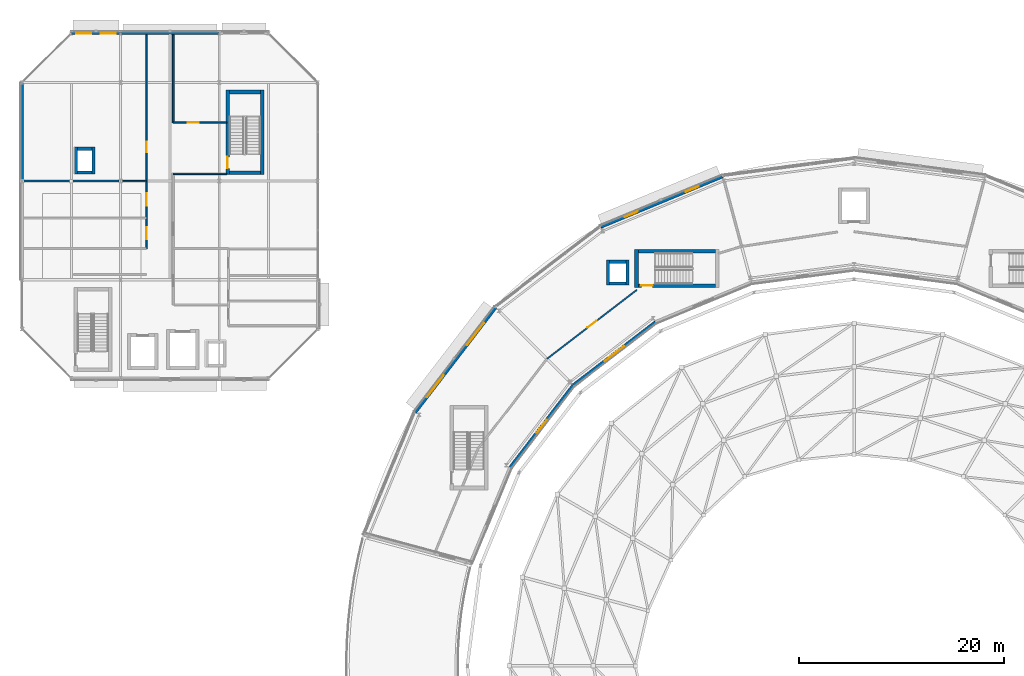
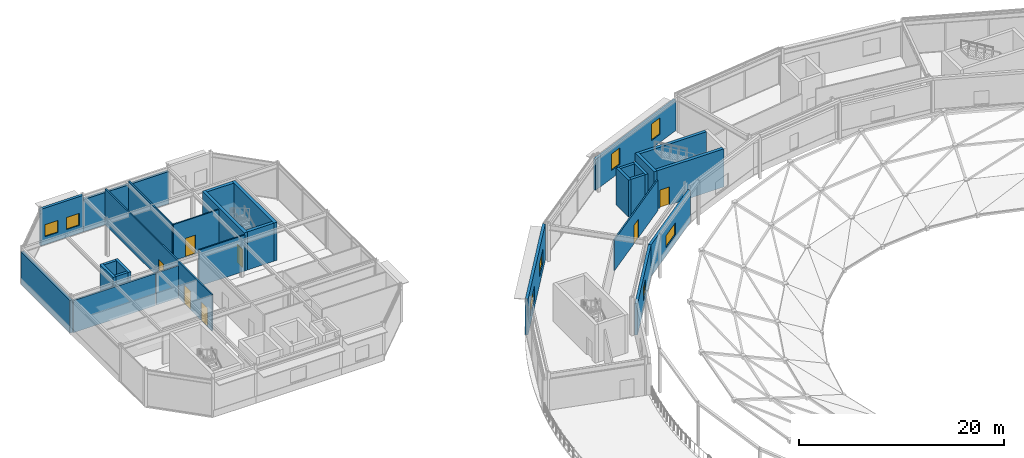
# One storey, part 63 of 89: 29 walls, 8 windows, 7 doors, 15 openings.
"""IFC4 building model written with IfcOpenShell, lengths in metres."""

from ifc_helpers import new_model, si_unit, direction, frame, frame_2d, origin, place, context, subcontext, project, spatial, rectangle, extrude, material, layer, layer_set, type_object, element, fill, save


model = new_model("IFC4")

# Units and contexts
model_context = context("Model", 3, precision=1e-05, world=origin(), true_north=direction((0.0, 1.0)))
body_context = subcontext(model_context, "Body", "Model", "MODEL_VIEW")
ifc_project = project(units=[si_unit("LENGTHUNIT", "METRE"), si_unit("AREAUNIT", "SQUARE_METRE"), si_unit("VOLUMEUNIT", "CUBIC_METRE"), si_unit("PLANEANGLEUNIT", "RADIAN"), si_unit("MASSUNIT", "GRAM", prefix="KILO")], contexts=[model_context])

# Site, building, storey
site_placement = place(None, origin())
site = spatial("IfcSite", under=ifc_project, at=site_placement, CompositionType="ELEMENT")
building_placement = place(site_placement, origin())
building = spatial("IfcBuilding", under=site, at=building_placement, Name="Almandine Court Research Institute", CompositionType="ELEMENT")
storey_placement = place(building_placement, frame((0.0, 0.0, 18.89990234375)))
storey = spatial("IfcBuildingStorey", under=building, at=storey_placement, Name="L04", CompositionType="ELEMENT", Elevation=18.89990234375)

# Wall
ifc_material_1 = material(Name="Insulated Ochre Terracotta Rainscreen Wall", Category="masonry")
ifc_layer_1 = layer(ifc_material_1, 0.2900390625)
ifc_layer_set_1 = layer_set([ifc_layer_1], Name="Insulated Ochre Terracotta Rainscreen Wall")
wall_type_1 = type_object("IfcWallType", Name="Wall-EXT-TERR-290", PredefinedType="SOLIDWALL", material=ifc_layer_set_1)
wall_1_placement = place(storey_placement, frame((6.0, 103.2041015625, 0.0), z_axis=(0.0, 0.0, 1.0), x_axis=(0.0, 1.0, 0.0)))
element("IfcWall", 1, at=wall_1_placement, inside=storey, type_object=wall_type_1, Name="L04 Cleanroom West Wall 3", PredefinedType="SOLIDWALL", context=body_context, shape_type="SweptSolid", body=[
    extrude(rectangle(XDim=9.591796875, YDim=0.2900390625, at=frame_2d((4.7958984375, 0.0))), origin(), (0.0, 0.0, 1.0), 3.884033203125),
])

# Wall, openings, windows
wall_2_placement = place(storey_placement, frame((10.803955078125, 117.60009765625, 0.0), z_axis=(0.0, 0.0, 1.0), x_axis=(1.0, 0.0, 0.0)))
wall_2 = element("IfcWall", 2, at=wall_2_placement, inside=storey, type_object=wall_type_1, Name="L04 Cleanroom North Wall 1", PredefinedType="SOLIDWALL", context=body_context, shape_type="SweptSolid", body=[
    extrude(rectangle(XDim=4.7919921875, YDim=0.2900390625, at=frame_2d((2.39599609375, 0.0))), origin(), (0.0, 0.0, 1.0), 4.3701171875),
])
opening_1_placement = place(wall_2_placement, frame((0.472900390625, 0.0, 0.949951171875)))
opening_1 = element("IfcOpeningElement", 3, at=opening_1_placement, cuts=wall_2, Name="Opening WN-36", PredefinedType="OPENING", context=body_context, shape_type="SweptSolid", body=[
    extrude(rectangle(XDim=1.449951171875, YDim=1.429931640625, at=frame_2d((0.72509765625, 0.71484375))), frame((0.0, 0.155029296875, 0.0), z_axis=(0.0, -1.0, 0.0), x_axis=(1.0, 0.0, 0.0)), (0.0, 0.0, 1.0), 0.31005859375),
])
opening_2_placement = place(wall_2_placement, frame((2.868896484375, 0.0, 0.949951171875)))
opening_2 = element("IfcOpeningElement", 4, at=opening_2_placement, cuts=wall_2, Name="Opening WN-36", PredefinedType="OPENING", context=body_context, shape_type="SweptSolid", body=[
    extrude(rectangle(XDim=1.449951171875, YDim=1.429931640625, at=frame_2d((0.72509765625, 0.71484375))), frame((0.0, 0.155029296875, 0.0), z_axis=(0.0, -1.0, 0.0), x_axis=(1.0, 0.0, 0.0)), (0.0, 0.0, 1.0), 0.31005859375),
])
ifc_material_2 = material(Name="Thermally Broken Low-E Double-Glazed Window", Category="glass")
window_type_1 = type_object("IfcWindowType", Name="Win-WN-36-1450x1430", PartitioningType="SINGLE_PANEL", PredefinedType="WINDOW", material=ifc_material_2)
window_1_placement = place(opening_1_placement, origin())
window_1 = element("IfcWindow", 5, at=window_1_placement, inside=storey, type_object=window_type_1, Name="L04 Modular Recessed Low-E Window 54", OverallHeight=1.429931640625, OverallWidth=1.449951171875, PartitioningType="SINGLE_PANEL", PredefinedType="WINDOW", context=body_context, shape_type="SweptSolid", body=[
    extrude(rectangle(XDim=1.449951171875, YDim=1.429931640625, at=frame_2d((0.72509765625, 0.71484375))), frame((0.0, 0.030029296875, 0.0), z_axis=(0.0, -1.0, 0.0), x_axis=(1.0, 0.0, 0.0)), (0.0, 0.0, 1.0), 0.06005859375),
])
fill(opening_1, window_1)
window_2_placement = place(opening_2_placement, origin())
window_2 = element("IfcWindow", 6, at=window_2_placement, inside=storey, type_object=window_type_1, Name="L04 Modular Recessed Low-E Window 55", OverallHeight=1.429931640625, OverallWidth=1.449951171875, PartitioningType="SINGLE_PANEL", PredefinedType="WINDOW", context=body_context, shape_type="SweptSolid", body=[
    extrude(rectangle(XDim=1.449951171875, YDim=1.429931640625, at=frame_2d((0.72509765625, 0.71484375))), frame((0.0, 0.030029296875, 0.0), z_axis=(0.0, -1.0, 0.0), x_axis=(1.0, 0.0, 0.0)), (0.0, 0.0, 1.0), 0.06005859375),
])
fill(opening_2, window_2)

# Wall
wall_3_placement = place(storey_placement, frame((15.60400390625, 117.60009765625, 0.0), z_axis=(0.0, 0.0, 1.0), x_axis=(1.0, 0.0, 0.0)))
element("IfcWall", 7, at=wall_3_placement, inside=storey, type_object=wall_type_1, Name="L04 Cleanroom North Wall 2", PredefinedType="SOLIDWALL", context=body_context, shape_type="SweptSolid", body=[
    extrude(rectangle(XDim=9.592041015625, YDim=0.2900390625, at=frame_2d((4.7958984375, 0.0))), origin(), (0.0, 0.0, 1.0), 3.837158203125),
])

# Wall, openings, windows
wall_4_placement = place(storey_placement, frame((62.3349609375, 98.73193359375, 0.0), z_axis=(0.0, 0.0, 1.0), x_axis=(0.923868612896, 0.382709793584, 0.0)))
wall_4 = element("IfcWall", 8, at=wall_4_placement, inside=storey, type_object=wall_type_1, Name="L04 Drum Outer Facade Wall 07", PredefinedType="SOLIDWALL", context=body_context, shape_type="SweptSolid", body=[
    extrude(rectangle(XDim=12.868896484375, YDim=0.2900390625, at=frame_2d((6.4345703125, 0.0))), origin(), (0.0, 0.0, 1.0), 3.672119140625),
])
opening_3_placement = place(wall_4_placement, frame((2.527099609375, 0.0, 0.949951171875)))
opening_3 = element("IfcOpeningElement", 9, at=opening_3_placement, cuts=wall_4, Name="Opening WN-126", PredefinedType="OPENING", context=body_context, shape_type="SweptSolid", body=[
    extrude(rectangle(XDim=1.3798828125, YDim=1.969970703125, at=frame_2d((0.68994140625, 0.98486328125))), frame((0.0, 0.155029296875, 0.0), z_axis=(0.0, -1.0, 0.0), x_axis=(1.0, 0.0, 0.0)), (0.0, 0.0, 1.0), 0.31005859375),
])
opening_4_placement = place(wall_4_placement, frame((8.9619140625, 0.0, 0.949951171875)))
opening_4 = element("IfcOpeningElement", 10, at=opening_4_placement, cuts=wall_4, Name="Opening WN-126", PredefinedType="OPENING", context=body_context, shape_type="SweptSolid", body=[
    extrude(rectangle(XDim=1.3798828125, YDim=1.969970703125, at=frame_2d((0.68994140625, 0.98486328125))), frame((0.0, 0.155029296875, 0.0), z_axis=(0.0, -1.0, 0.0), x_axis=(1.0, 0.0, 0.0)), (0.0, 0.0, 1.0), 0.31005859375),
])
window_type_2 = type_object("IfcWindowType", Name="Win-WN-126-1380x1970", PartitioningType="SINGLE_PANEL", PredefinedType="WINDOW", material=ifc_material_2)
window_3_placement = place(opening_3_placement, origin())
window_3 = element("IfcWindow", 11, at=window_3_placement, inside=storey, type_object=window_type_2, Name="L04 Modular Recessed Low-E Window 303", OverallHeight=1.969970703125, OverallWidth=1.3798828125, PartitioningType="SINGLE_PANEL", PredefinedType="WINDOW", context=body_context, shape_type="SweptSolid", body=[
    extrude(rectangle(XDim=1.3798828125, YDim=1.969970703125, at=frame_2d((0.68994140625, 0.98486328125))), frame((0.0, 0.030029296875, 0.0), z_axis=(0.0, -1.0, 0.0), x_axis=(1.0, 0.0, 0.0)), (0.0, 0.0, 1.0), 0.06005859375),
])
fill(opening_3, window_3)
window_4_placement = place(opening_4_placement, origin())
window_4 = element("IfcWindow", 12, at=window_4_placement, inside=storey, type_object=window_type_2, Name="L04 Modular Recessed Low-E Window 304", OverallHeight=1.969970703125, OverallWidth=1.3798828125, PartitioningType="SINGLE_PANEL", PredefinedType="WINDOW", context=body_context, shape_type="SweptSolid", body=[
    extrude(rectangle(XDim=1.3798828125, YDim=1.969970703125, at=frame_2d((0.68994140625, 0.98486328125))), frame((0.0, 0.030029296875, 0.0), z_axis=(0.0, -1.0, 0.0), x_axis=(1.0, 0.0, 0.0)), (0.0, 0.0, 1.0), 0.06005859375),
])
fill(opening_4, window_4)

# Wall, opening, window
wall_5_placement = place(storey_placement, frame((67.6650390625, 89.47705078125, 0.0), z_axis=(0.0, 0.0, 1.0), x_axis=(-0.793371621275, -0.608737604027, 0.0)))
wall_5 = element("IfcWall", 13, at=wall_5_placement, inside=storey, type_object=wall_type_1, Name="L04 Drum Inner Gallery Wall 08", PredefinedType="SOLIDWALL", context=body_context, shape_type="SweptSolid", body=[
    extrude(rectangle(XDim=10.079833984375, YDim=0.2900390625, at=frame_2d((5.0400390625, 0.0))), origin(), (0.0, 0.0, 1.0), 3.754150390625),
])
opening_5_placement = place(wall_5_placement, frame((3.85498046875, 0.0, 0.949951171875)))
opening_5 = element("IfcOpeningElement", 14, at=opening_5_placement, cuts=wall_5, Name="Opening WN-25", PredefinedType="OPENING", context=body_context, shape_type="SweptSolid", body=[
    extrude(rectangle(XDim=2.3701171875, YDim=1.429931640625, at=frame_2d((1.18505859375, 0.71484375))), frame((0.0, 0.155029296875, 0.0), z_axis=(0.0, -1.0, 0.0), x_axis=(1.0, 0.0, 0.0)), (0.0, 0.0, 1.0), 0.31005859375),
])
window_type_3 = type_object("IfcWindowType", Name="Win-WN-25-2370x1430", PartitioningType="SINGLE_PANEL", PredefinedType="WINDOW", material=ifc_material_2)
window_5_placement = place(opening_5_placement, origin())
window_5 = element("IfcWindow", 15, at=window_5_placement, inside=storey, type_object=window_type_3, Name="L04 Modular Recessed Low-E Window 306", OverallHeight=1.429931640625, OverallWidth=2.3701171875, PartitioningType="SINGLE_PANEL", PredefinedType="WINDOW", context=body_context, shape_type="SweptSolid", body=[
    extrude(rectangle(XDim=2.3701171875, YDim=1.429931640625, at=frame_2d((1.18505859375, 0.71484375))), frame((0.0, 0.030029296875, 0.0), z_axis=(0.0, -1.0, 0.0), x_axis=(1.0, 0.0, 0.0)), (0.0, 0.0, 1.0), 0.06005859375),
])
fill(opening_5, window_5)

# Wall, openings, windows
wall_6_placement = place(storey_placement, frame((44.27392578125, 80.675048828125, 0.0), z_axis=(0.0, 0.0, 1.0), x_axis=(0.608778799465, 0.79334001117, 0.0)))
wall_6 = element("IfcWall", 16, at=wall_6_placement, inside=storey, type_object=wall_type_1, Name="L04 Drum Outer Facade Wall 09", PredefinedType="SOLIDWALL", context=body_context, shape_type="SweptSolid", body=[
    extrude(rectangle(XDim=12.868408203125, YDim=0.2900390625, at=frame_2d((6.43408203125, 0.0))), origin(), (0.0, 0.0, 1.0), 4.31005859375),
])
opening_6_placement = place(wall_6_placement, frame((1.866943359375, 0.0, 0.949951171875)))
opening_6 = element("IfcOpeningElement", 17, at=opening_6_placement, cuts=wall_6, Name="Opening WN-127", PredefinedType="OPENING", context=body_context, shape_type="SweptSolid", body=[
    extrude(rectangle(XDim=2.699951171875, YDim=1.64990234375, at=frame_2d((1.35009765625, 0.824951171875))), frame((0.0, 0.155029296875, 0.0), z_axis=(0.0, -1.0, 0.0), x_axis=(1.0, 0.0, 0.0)), (0.0, 0.0, 1.0), 0.31005859375),
])
opening_7_placement = place(wall_6_placement, frame((8.301025390625, 0.0, 0.949951171875)))
opening_7 = element("IfcOpeningElement", 18, at=opening_7_placement, cuts=wall_6, Name="Opening WN-127", PredefinedType="OPENING", context=body_context, shape_type="SweptSolid", body=[
    extrude(rectangle(XDim=2.699951171875, YDim=1.64990234375, at=frame_2d((1.35009765625, 0.824951171875))), frame((0.0, 0.155029296875, 0.0), z_axis=(0.0, -1.0, 0.0), x_axis=(1.0, 0.0, 0.0)), (0.0, 0.0, 1.0), 0.31005859375),
])
window_type_4 = type_object("IfcWindowType", Name="Win-WN-127-2700x1650", PartitioningType="SINGLE_PANEL", PredefinedType="WINDOW", material=ifc_material_2)
window_6_placement = place(opening_6_placement, origin())
window_6 = element("IfcWindow", 19, at=window_6_placement, inside=storey, type_object=window_type_4, Name="L04 Modular Recessed Low-E Window 307", OverallHeight=1.64990234375, OverallWidth=2.699951171875, PartitioningType="SINGLE_PANEL", PredefinedType="WINDOW", context=body_context, shape_type="SweptSolid", body=[
    extrude(rectangle(XDim=2.699951171875, YDim=1.64990234375, at=frame_2d((1.35009765625, 0.824951171875))), frame((0.0, 0.030029296875, 0.0), z_axis=(0.0, -1.0, 0.0), x_axis=(1.0, 0.0, 0.0)), (0.0, 0.0, 1.0), 0.06005859375),
])
fill(opening_6, window_6)
window_7_placement = place(opening_7_placement, origin())
window_7 = element("IfcWindow", 20, at=window_7_placement, inside=storey, type_object=window_type_4, Name="L04 Modular Recessed Low-E Window 308", OverallHeight=1.64990234375, OverallWidth=2.699951171875, PartitioningType="SINGLE_PANEL", PredefinedType="WINDOW", context=body_context, shape_type="SweptSolid", body=[
    extrude(rectangle(XDim=2.699951171875, YDim=1.64990234375, at=frame_2d((1.35009765625, 0.824951171875))), frame((0.0, 0.030029296875, 0.0), z_axis=(0.0, -1.0, 0.0), x_axis=(1.0, 0.0, 0.0)), (0.0, 0.0, 1.0), 0.06005859375),
])
fill(opening_7, window_7)

# Wall, opening, window
wall_7_placement = place(storey_placement, frame((59.658935546875, 83.33203125, 0.0), z_axis=(0.0, 0.0, 1.0), x_axis=(-0.608737604027, -0.793371621275, 0.0)))
wall_7 = element("IfcWall", 21, at=wall_7_placement, inside=storey, type_object=wall_type_1, Name="L04 Drum Inner Gallery Wall 09", PredefinedType="SOLIDWALL", context=body_context, shape_type="SweptSolid", body=[
    extrude(rectangle(XDim=10.079833984375, YDim=0.2900390625, at=frame_2d((5.0400390625, 0.0))), origin(), (0.0, 0.0, 1.0), 3.754150390625),
])
opening_8_placement = place(wall_7_placement, frame((4.239990234375, 0.0, 0.949951171875)))
opening_8 = element("IfcOpeningElement", 22, at=opening_8_placement, cuts=wall_7, Name="Opening WN-123", PredefinedType="OPENING", context=body_context, shape_type="SweptSolid", body=[
    extrude(rectangle(XDim=1.60009765625, YDim=1.669921875, at=frame_2d((0.800048828125, 0.8349609375))), frame((0.0, 0.155029296875, 0.0), z_axis=(0.0, -1.0, 0.0), x_axis=(1.0, 0.0, 0.0)), (0.0, 0.0, 1.0), 0.31005859375),
])
window_type_5 = type_object("IfcWindowType", Name="Win-WN-123-1600x1670", PartitioningType="SINGLE_PANEL", PredefinedType="WINDOW", material=ifc_material_2)
window_8_placement = place(opening_8_placement, origin())
window_8 = element("IfcWindow", 23, at=window_8_placement, inside=storey, type_object=window_type_5, Name="L04 Modular Recessed Low-E Window 309", OverallHeight=1.669921875, OverallWidth=1.60009765625, PartitioningType="SINGLE_PANEL", PredefinedType="WINDOW", context=body_context, shape_type="SweptSolid", body=[
    extrude(rectangle(XDim=1.60009765625, YDim=1.669921875, at=frame_2d((0.800048828125, 0.8349609375))), frame((0.0, 0.030029296875, 0.0), z_axis=(0.0, -1.0, 0.0), x_axis=(1.0, 0.0, 0.0)), (0.0, 0.0, 1.0), 0.06005859375),
])
fill(opening_8, window_8)

# Wall
ifc_material_3 = material(Name="Two-Hour Fire-Barrier Enclosure Wall")
ifc_layer_2 = layer(ifc_material_3, 0.199951171875)
ifc_layer_set_2 = layer_set([ifc_layer_2], Name="Two-Hour Fire-Barrier Enclosure Wall")
wall_type_2 = type_object("IfcWallType", Name="Wall-FIRE-200", PredefinedType="SOLIDWALL", material=ifc_layer_set_2)
wall_8_placement = place(storey_placement, frame((6.159912109375, 103.199951171875, 0.0), z_axis=(0.0, 0.0, 1.0), x_axis=(1.0, 0.0, 0.0)))
element("IfcWall", 24, at=wall_8_placement, inside=storey, type_object=wall_type_2, Name="L04 Interior Partition W-BF-V3-BF1-L04", PredefinedType="SOLIDWALL", context=body_context, shape_type="SweptSolid", body=[
    extrude(rectangle(XDim=9.280029296875, YDim=0.199951171875, at=frame_2d((4.64013671875, 0.0))), origin(), (0.0, 0.0, 1.0), 3.815185546875),
])

# Wall, opening, door
ifc_material_4 = material(Name="Acoustic Steel-Stud Gypsum Partition Wall", Category="steel")
ifc_layer_3 = layer(ifc_material_4, 0.14990234375)
ifc_layer_set_3 = layer_set([ifc_layer_3], Name="Acoustic Steel-Stud Gypsum Partition Wall")
wall_type_3 = type_object("IfcWallType", Name="Wall-PART-150", PredefinedType="PARTITIONING", material=ifc_layer_set_3)
wall_9_placement = place(storey_placement, frame((20.719970703125, 108.89990234375, 0.0), z_axis=(0.0, 0.0, 1.0), x_axis=(1.0, 0.0, 0.0)))
wall_9 = element("IfcWall", 25, at=wall_9_placement, inside=storey, type_object=wall_type_3, Name="L04 Interior Partition W-V3-L04-CAL", PredefinedType="PARTITIONING", context=body_context, shape_type="SweptSolid", body=[
    extrude(rectangle(XDim=5.199951171875, YDim=0.14990234375, at=frame_2d((2.60009765625, 0.0))), origin(), (0.0, 0.0, 1.0), 4.300048828125),
])
opening_9_placement = place(wall_9_placement, frame((1.39990234375, 0.0, 0.0)))
opening_9 = element("IfcOpeningElement", 26, at=opening_9_placement, cuts=wall_9, Name="Opening D-03", PredefinedType="OPENING", context=body_context, shape_type="SweptSolid", body=[
    extrude(rectangle(XDim=1.10009765625, YDim=2.199951171875, at=frame_2d((0.550048828125, 1.10009765625))), frame((0.0, 0.0849609375, 0.0), z_axis=(0.0, -1.0, 0.0), x_axis=(1.0, 0.0, 0.0)), (0.0, 0.0, 1.0), 0.169921875),
])
ifc_material_5 = material(Name="Acoustic Vision-Panel Seminar Door")
door_type_1 = type_object("IfcDoorType", Name="Door-INT-1100", OperationType="NOTDEFINED", PredefinedType="DOOR", material=ifc_material_5)
door_1_placement = place(opening_9_placement, origin())
door_1 = element("IfcDoor", 27, at=door_1_placement, inside=storey, type_object=door_type_1, Name="L04 Calibration Suite Door", OperationType="SINGLE_SWING_LEFT", OverallHeight=2.199951171875, OverallWidth=1.10009765625, PredefinedType="DOOR", context=body_context, shape_type="SweptSolid", body=[
    extrude(rectangle(XDim=1.10009765625, YDim=2.199951171875, at=frame_2d((0.550048828125, 1.10009765625))), frame((0.0, 0.02490234375, 0.0), z_axis=(0.0, -1.0, 0.0), x_axis=(1.0, 0.0, 0.0)), (0.0, 0.0, 1.0), 0.050048828125),
])
fill(opening_9, door_1)

# Wall
wall_10_placement = place(storey_placement, frame((20.719970703125, 108.89990234375, 0.0), z_axis=(0.0, 0.0, 1.0), x_axis=(0.0, 1.0, 0.0)))
element("IfcWall", 28, at=wall_10_placement, inside=storey, type_object=wall_type_3, Name="L04 Interior Partition W-V3-L04-CALW", PredefinedType="PARTITIONING", context=body_context, shape_type="SweptSolid", body=[
    extrude(rectangle(XDim=8.5400390625, YDim=0.14990234375, at=frame_2d((4.27001953125, 0.0))), origin(), (0.0, 0.0, 1.0), 4.300048828125),
])

# Wall, openings, doors
wall_11_placement = place(storey_placement, frame((18.10009765625, 96.6201171875, 0.0), z_axis=(0.0, 0.0, 1.0), x_axis=(0.0, 1.0, 0.0)))
wall_11 = element("IfcWall", 29, at=wall_11_placement, inside=storey, type_object=wall_type_3, Name="L04 Interior Partition W-V3-L04-CW", PredefinedType="PARTITIONING", context=body_context, shape_type="SweptSolid", body=[
    extrude(rectangle(XDim=20.81982421875, YDim=0.14990234375, at=frame_2d((10.409912109375, 0.0))), origin(), (0.0, 0.0, 1.0), 4.300048828125),
])
opening_10_placement = place(wall_11_placement, frame((0.89990234375, 0.0, 0.0)))
opening_10 = element("IfcOpeningElement", 30, at=opening_10_placement, cuts=wall_11, Name="Opening D-04", PredefinedType="OPENING", context=body_context, shape_type="SweptSolid", body=[
    extrude(rectangle(XDim=1.199951171875, YDim=2.199951171875, at=frame_2d((0.60009765625, 1.10009765625))), frame((0.0, 0.0849609375, 0.0), z_axis=(0.0, -1.0, 0.0), x_axis=(1.0, 0.0, 0.0)), (0.0, 0.0, 1.0), 0.169921875),
])
opening_11_placement = place(wall_11_placement, frame((4.199951171875, 0.0, 0.0)))
opening_11 = element("IfcOpeningElement", 31, at=opening_11_placement, cuts=wall_11, Name="Opening D-04", PredefinedType="OPENING", context=body_context, shape_type="SweptSolid", body=[
    extrude(rectangle(XDim=1.199951171875, YDim=2.199951171875, at=frame_2d((0.60009765625, 1.10009765625))), frame((0.0, 0.0849609375, 0.0), z_axis=(0.0, -1.0, 0.0), x_axis=(1.0, 0.0, 0.0)), (0.0, 0.0, 1.0), 0.169921875),
])
opening_12_placement = place(wall_11_placement, frame((9.39990234375, 0.0, 0.0)))
opening_12 = element("IfcOpeningElement", 32, at=opening_12_placement, cuts=wall_11, Name="Opening D-02", PredefinedType="OPENING", context=body_context, shape_type="SweptSolid", body=[
    extrude(rectangle(XDim=1.0, YDim=2.199951171875, at=frame_2d((0.5, 1.10009765625))), frame((0.0, 0.0849609375, 0.0), z_axis=(0.0, -1.0, 0.0), x_axis=(1.0, 0.0, 0.0)), (0.0, 0.0, 1.0), 0.169921875),
])
ifc_material_6 = material(Name="Solid-Core Timber Researcher Office Door", Category="wood")
door_type_2 = type_object("IfcDoorType", Name="Door-INT-1000", OperationType="NOTDEFINED", PredefinedType="DOOR", material=ifc_material_6)
door_2_placement = place(opening_12_placement, origin())
door_2 = element("IfcDoor", 33, at=door_2_placement, inside=storey, type_object=door_type_2, Name="L04 V3 Write-up Door", OperationType="SINGLE_SWING_RIGHT", OverallHeight=2.199951171875, OverallWidth=1.0, PredefinedType="DOOR", context=body_context, shape_type="SweptSolid", body=[
    extrude(rectangle(XDim=1.0, YDim=2.199951171875, at=frame_2d((0.5, 1.10009765625))), frame((0.0, 0.02490234375, 0.0), z_axis=(0.0, -1.0, 0.0), x_axis=(1.0, 0.0, 0.0)), (0.0, 0.0, 1.0), 0.050048828125),
])
fill(opening_12, door_2)
ifc_material_7 = material(Name="Wide Acoustic Laboratory Suite Door")
door_type_3 = type_object("IfcDoorType", Name="Door-INT-1200", OperationType="NOTDEFINED", PredefinedType="DOOR", material=ifc_material_7)
door_3_placement = place(opening_10_placement, origin())
door_3 = element("IfcDoor", 34, at=door_3_placement, inside=storey, type_object=door_type_3, Name="L04 Photonics Lab Door", OperationType="SINGLE_SWING_RIGHT", OverallHeight=2.199951171875, OverallWidth=1.199951171875, PredefinedType="DOOR", context=body_context, shape_type="SweptSolid", body=[
    extrude(rectangle(XDim=1.199951171875, YDim=2.199951171875, at=frame_2d((0.60009765625, 1.10009765625))), frame((0.0, 0.02490234375, 0.0), z_axis=(0.0, -1.0, 0.0), x_axis=(1.0, 0.0, 0.0)), (0.0, 0.0, 1.0), 0.050048828125),
])
fill(opening_10, door_3)
door_4_placement = place(opening_11_placement, origin())
door_4 = element("IfcDoor", 35, at=door_4_placement, inside=storey, type_object=door_type_3, Name="L04 Metrology Lab Door", OperationType="SINGLE_SWING_LEFT", OverallHeight=2.199951171875, OverallWidth=1.199951171875, PredefinedType="DOOR", context=body_context, shape_type="SweptSolid", body=[
    extrude(rectangle(XDim=1.199951171875, YDim=2.199951171875, at=frame_2d((0.60009765625, 1.10009765625))), frame((0.0, 0.02490234375, 0.0), z_axis=(0.0, -1.0, 0.0), x_axis=(1.0, 0.0, 0.0)), (0.0, 0.0, 1.0), 0.050048828125),
])
fill(opening_11, door_4)

# Walls
wall_12_placement = place(storey_placement, frame((20.719970703125, 103.89990234375, 0.0), z_axis=(0.0, 0.0, 1.0), x_axis=(1.0, 0.0, 0.0)))
element("IfcWall", 36, at=wall_12_placement, inside=storey, type_object=wall_type_3, Name="L04 Interior Partition W-V3-L04-CEN", PredefinedType="PARTITIONING", context=body_context, shape_type="SweptSolid", body=[
    extrude(rectangle(XDim=5.199951171875, YDim=0.14990234375, at=frame_2d((2.60009765625, 0.0))), origin(), (0.0, 0.0, 1.0), 4.300048828125),
])
wall_13_placement = place(storey_placement, frame((15.550048828125, 103.199951171875, 0.0), z_axis=(0.0, 0.0, 1.0), x_axis=(1.0, 0.0, 0.0)))
element("IfcWall", 37, at=wall_13_placement, inside=storey, type_object=wall_type_3, Name="L04 Interior Partition W-V3-L04-SB", PredefinedType="PARTITIONING", context=body_context, shape_type="SweptSolid", body=[
    extrude(rectangle(XDim=2.550048828125, YDim=0.14990234375, at=frame_2d((1.27490234375, 0.0))), origin(), (0.0, 0.0, 1.0), 3.815185546875),
])

# Wall, opening, door
wall_14_placement = place(storey_placement, frame((65.860107421875, 92.615966796875, 0.0), z_axis=(0.0, 0.0, 1.0), x_axis=(-0.793301872689, -0.608828497024, 0.0)))
wall_14 = element("IfcWall", 38, at=wall_14_placement, inside=storey, type_object=wall_type_3, Name="L04 Interior Partition W-V5-L04-CHD-08", PredefinedType="PARTITIONING", context=body_context, shape_type="SweptSolid", body=[
    extrude(rectangle(XDim=11.03759765625, YDim=0.14990234375, at=frame_2d((5.518798828125, 0.0))), origin(), (0.0, 0.0, 1.0), 3.676025390625),
])
opening_13_placement = place(wall_14_placement, frame((4.949951171875, 0.0, 0.0)))
opening_13 = element("IfcOpeningElement", 39, at=opening_13_placement, cuts=wall_14, Name="Opening D-03", PredefinedType="OPENING", context=body_context, shape_type="SweptSolid", body=[
    extrude(rectangle(XDim=1.10009765625, YDim=2.199951171875, at=frame_2d((0.550048828125, 1.10009765625))), frame((0.0, 0.0849609375, 0.0), z_axis=(0.0, -1.0, 0.0), x_axis=(1.0, 0.0, 0.0)), (0.0, 0.0, 1.0), 0.169921875),
])
door_5_placement = place(opening_13_placement, origin())
door_5 = element("IfcDoor", 40, at=door_5_placement, inside=storey, type_object=door_type_1, Name="L04 Drum Calibration Suite Door", OperationType="SINGLE_SWING_RIGHT", OverallHeight=2.199951171875, OverallWidth=1.10009765625, PredefinedType="DOOR", context=body_context, shape_type="SweptSolid", body=[
    extrude(rectangle(XDim=1.10009765625, YDim=2.199951171875, at=frame_2d((0.550048828125, 1.10009765625))), frame((0.0, 0.02490234375, 0.0), z_axis=(0.0, -1.0, 0.0), x_axis=(1.0, 0.0, 0.0)), (0.0, 0.0, 1.0), 0.050048828125),
])
fill(opening_13, door_5)

# Walls
ifc_material_8 = material(Name="Concrete C40/50", Category="concrete")
ifc_layer_4 = layer(ifc_material_8, 0.300048828125)
ifc_layer_set_4 = layer_set([ifc_layer_4], Name="Concrete C40/50")
wall_type_4 = type_object("IfcWallType", Name="Wall-SW-CORE-300", PredefinedType="SHEAR", material=ifc_layer_set_4)
wall_15_placement = place(storey_placement, frame((11.25, 103.89990234375, 0.0), z_axis=(0.0, 0.0, 1.0), x_axis=(0.0, 1.0, 0.0)))
element("IfcWall", 41, at=wall_15_placement, inside=storey, type_object=wall_type_4, Name="L04 MEP Riser RS-V3B W Shear Wall", PredefinedType="SHEAR", context=body_context, shape_type="SweptSolid", body=[
    extrude(rectangle(XDim=2.60009765625, YDim=0.300048828125, at=frame_2d((1.300048828125, 0.0))), origin(), (0.0, 0.0, 1.0), 4.3701171875),
])
wall_16_placement = place(storey_placement, frame((11.39990234375, 106.35009765625, 0.0), z_axis=(0.0, 0.0, 1.0), x_axis=(1.0, 0.0, 0.0)))
element("IfcWall", 42, at=wall_16_placement, inside=storey, type_object=wall_type_4, Name="L04 MEP Riser RS-V3B N Shear Wall", PredefinedType="SHEAR", context=body_context, shape_type="SweptSolid", body=[
    extrude(rectangle(XDim=1.400146484375, YDim=0.300048828125, at=frame_2d((0.7001953125, 0.0))), origin(), (0.0, 0.0, 1.0), 4.3701171875),
])
wall_17_placement = place(storey_placement, frame((12.949951171875, 106.5, 0.0), z_axis=(0.0, 0.0, 1.0), x_axis=(0.0, -1.0, 0.0)))
element("IfcWall", 43, at=wall_17_placement, inside=storey, type_object=wall_type_4, Name="L04 MEP Riser RS-V3B E Shear Wall", PredefinedType="SHEAR", context=body_context, shape_type="SweptSolid", body=[
    extrude(rectangle(XDim=2.60009765625, YDim=0.300048828125, at=frame_2d((1.300048828125, 0.0))), origin(), (0.0, 0.0, 1.0), 4.3701171875),
])
wall_18_placement = place(storey_placement, frame((12.800048828125, 104.050048828125, 0.0), z_axis=(0.0, 0.0, 1.0), x_axis=(-1.0, 0.0, 0.0)))
element("IfcWall", 44, at=wall_18_placement, inside=storey, type_object=wall_type_4, Name="L04 MEP Riser RS-V3B S Shear Wall", PredefinedType="SHEAR", context=body_context, shape_type="SweptSolid", body=[
    extrude(rectangle(XDim=1.400146484375, YDim=0.300048828125, at=frame_2d((0.7001953125, 0.0))), origin(), (0.0, 0.0, 1.0), 4.3701171875),
])
wall_19_placement = place(storey_placement, frame((63.050048828125, 93.10009765625, 0.0), z_axis=(0.0, 0.0, 1.0), x_axis=(0.0, 1.0, 0.0)))
element("IfcWall", 45, at=wall_19_placement, inside=storey, type_object=wall_type_4, Name="L04 MEP Riser RS-V5B W Shear Wall", PredefinedType="SHEAR", context=body_context, shape_type="SweptSolid", body=[
    extrude(rectangle(XDim=2.39990234375, YDim=0.300048828125, at=frame_2d((1.199951171875, 0.0))), origin(), (0.0, 0.0, 1.0), 4.3701171875),
])
wall_20_placement = place(storey_placement, frame((63.199951171875, 95.35009765625, 0.0), z_axis=(0.0, 0.0, 1.0), x_axis=(1.0, 0.0, 0.0)))
element("IfcWall", 46, at=wall_20_placement, inside=storey, type_object=wall_type_4, Name="L04 MEP Riser RS-V5B N Shear Wall", PredefinedType="SHEAR", context=body_context, shape_type="SweptSolid", body=[
    extrude(rectangle(XDim=1.60009765625, YDim=0.300048828125, at=frame_2d((0.800048828125, 0.0))), origin(), (0.0, 0.0, 1.0), 4.3701171875),
])
wall_21_placement = place(storey_placement, frame((64.949951171875, 95.5, 0.0), z_axis=(0.0, 0.0, 1.0), x_axis=(0.0, -1.0, 0.0)))
element("IfcWall", 47, at=wall_21_placement, inside=storey, type_object=wall_type_4, Name="L04 MEP Riser RS-V5B E Shear Wall", PredefinedType="SHEAR", context=body_context, shape_type="SweptSolid", body=[
    extrude(rectangle(XDim=2.39990234375, YDim=0.300048828125, at=frame_2d((1.199951171875, 0.0))), origin(), (0.0, 0.0, 1.0), 4.3701171875),
])
wall_22_placement = place(storey_placement, frame((64.800048828125, 93.25, 0.0), z_axis=(0.0, 0.0, 1.0), x_axis=(-1.0, 0.0, 0.0)))
element("IfcWall", 48, at=wall_22_placement, inside=storey, type_object=wall_type_4, Name="L04 MEP Riser RS-V5B S Shear Wall", PredefinedType="SHEAR", context=body_context, shape_type="SweptSolid", body=[
    extrude(rectangle(XDim=1.60009765625, YDim=0.300048828125, at=frame_2d((0.800048828125, 0.0))), origin(), (0.0, 0.0, 1.0), 4.3701171875),
])

# Wall, opening, door
ifc_layer_5 = layer(ifc_material_8, 0.35009765625)
ifc_layer_set_5 = layer_set([ifc_layer_5], Name="Concrete C40/50")
wall_type_5 = type_object("IfcWallType", Name="Wall-SW-CORE-350", PredefinedType="SHEAR", material=ifc_layer_set_5)
wall_23_placement = place(storey_placement, frame((26.02490234375, 103.85009765625, 0.0), z_axis=(0.0, 0.0, 1.0), x_axis=(0.0, 1.0, 0.0)))
wall_23 = element("IfcWall", 49, at=wall_23_placement, inside=storey, type_object=wall_type_5, Name="L04 ST-06 W Shear Wall", PredefinedType="SHEAR", context=body_context, shape_type="SweptSolid", body=[
    extrude(rectangle(XDim=8.199951171875, YDim=0.35009765625, at=frame_2d((4.10009765625, 0.0))), origin(), (0.0, 0.0, 1.0), 4.550048828125),
])
opening_14_placement = place(wall_23_placement, frame((0.60009765625, 0.0, 0.0)))
opening_14 = element("IfcOpeningElement", 50, at=opening_14_placement, cuts=wall_23, Name="Opening FD-STAIR", PredefinedType="OPENING", context=body_context, shape_type="SweptSolid", body=[
    extrude(rectangle(XDim=1.10009765625, YDim=2.14990234375, at=frame_2d((0.550048828125, 1.074951171875))), frame((0.0, 0.18505859375, 0.0), z_axis=(0.0, -1.0, 0.0), x_axis=(1.0, 0.0, 0.0)), (0.0, 0.0, 1.0), 0.3701171875),
])
ifc_material_9 = material(Name="Self-Closing Steel Exit Stair Fire Door", Category="steel")
door_type_4 = type_object("IfcDoorType", Name="Door-FD-STAIR-1100", OperationType="NOTDEFINED", PredefinedType="DOOR", material=ifc_material_9)
door_6_placement = place(opening_14_placement, origin())
door_6 = element("IfcDoor", 51, at=door_6_placement, inside=storey, type_object=door_type_4, Name="L04 Exit Stair ST-06 Fire Door", OperationType="SINGLE_SWING_LEFT", OverallHeight=2.14990234375, OverallWidth=1.10009765625, PredefinedType="DOOR", context=body_context, shape_type="SweptSolid", body=[
    extrude(rectangle(XDim=1.10009765625, YDim=2.14990234375, at=frame_2d((0.550048828125, 1.074951171875))), frame((0.0, 0.02490234375, 0.0), z_axis=(0.0, -1.0, 0.0), x_axis=(1.0, 0.0, 0.0)), (0.0, 0.0, 1.0), 0.050048828125),
])
fill(opening_14, door_6)

# Walls
wall_24_placement = place(storey_placement, frame((26.199951171875, 111.875, 0.0), z_axis=(0.0, 0.0, 1.0), x_axis=(1.0, 0.0, 0.0)))
element("IfcWall", 52, at=wall_24_placement, inside=storey, type_object=wall_type_5, Name="L04 ST-06 N Shear Wall", PredefinedType="SHEAR", context=body_context, shape_type="SweptSolid", body=[
    extrude(rectangle(XDim=3.0, YDim=0.35009765625, at=frame_2d((1.5, 0.0))), origin(), (0.0, 0.0, 1.0), 4.550048828125),
])
wall_25_placement = place(storey_placement, frame((29.375, 112.050048828125, 0.0), z_axis=(0.0, 0.0, 1.0), x_axis=(0.0, -1.0, 0.0)))
element("IfcWall", 53, at=wall_25_placement, inside=storey, type_object=wall_type_5, Name="L04 ST-06 E Shear Wall", PredefinedType="SHEAR", context=body_context, shape_type="SweptSolid", body=[
    extrude(rectangle(XDim=8.199951171875, YDim=0.35009765625, at=frame_2d((4.10009765625, 0.0))), origin(), (0.0, 0.0, 1.0), 4.550048828125),
])
wall_26_placement = place(storey_placement, frame((29.199951171875, 104.02490234375, 0.0), z_axis=(0.0, 0.0, 1.0), x_axis=(-1.0, 0.0, 0.0)))
element("IfcWall", 54, at=wall_26_placement, inside=storey, type_object=wall_type_5, Name="L04 ST-06 S Shear Wall", PredefinedType="SHEAR", context=body_context, shape_type="SweptSolid", body=[
    extrude(rectangle(XDim=3.0, YDim=0.35009765625, at=frame_2d((1.5, 0.0))), origin(), (0.0, 0.0, 1.0), 4.550048828125),
])
wall_27_placement = place(storey_placement, frame((65.824951171875, 92.85009765625, 0.0), z_axis=(0.0, 0.0, 1.0), x_axis=(0.0, 1.0, 0.0)))
element("IfcWall", 55, at=wall_27_placement, inside=storey, type_object=wall_type_5, Name="L04 ST-10 W Shear Wall", PredefinedType="SHEAR", context=body_context, shape_type="SweptSolid", body=[
    extrude(rectangle(XDim=3.699951171875, YDim=0.35009765625, at=frame_2d((1.85009765625, 0.0))), origin(), (0.0, 0.0, 1.0), 4.550048828125),
])
wall_28_placement = place(storey_placement, frame((66.0, 96.375, 0.0), z_axis=(0.0, 0.0, 1.0), x_axis=(1.0, 0.0, 0.0)))
element("IfcWall", 56, at=wall_28_placement, inside=storey, type_object=wall_type_5, Name="L04 ST-10 N Shear Wall", PredefinedType="SHEAR", context=body_context, shape_type="SweptSolid", body=[
    extrude(rectangle(XDim=7.5, YDim=0.35009765625, at=frame_2d((3.75, 0.0))), origin(), (0.0, 0.0, 1.0), 4.550048828125),
])

# Wall, opening, door
wall_29_placement = place(storey_placement, frame((73.5, 93.02490234375, 0.0), z_axis=(0.0, 0.0, 1.0), x_axis=(-1.0, 0.0, 0.0)))
wall_29 = element("IfcWall", 57, at=wall_29_placement, inside=storey, type_object=wall_type_5, Name="L04 ST-10 S Shear Wall", PredefinedType="SHEAR", context=body_context, shape_type="SweptSolid", body=[
    extrude(rectangle(XDim=7.5, YDim=0.35009765625, at=frame_2d((3.75, 0.0))), origin(), (0.0, 0.0, 1.0), 4.550048828125),
])
opening_15_placement = place(wall_29_placement, frame((6.10009765625, 0.0, 0.0)))
opening_15 = element("IfcOpeningElement", 58, at=opening_15_placement, cuts=wall_29, Name="Opening FD-STAIR", PredefinedType="OPENING", context=body_context, shape_type="SweptSolid", body=[
    extrude(rectangle(XDim=1.10009765625, YDim=2.14990234375, at=frame_2d((0.550048828125, 1.074951171875))), frame((0.0, 0.18505859375, 0.0), z_axis=(0.0, -1.0, 0.0), x_axis=(1.0, 0.0, 0.0)), (0.0, 0.0, 1.0), 0.3701171875),
])
door_7_placement = place(opening_15_placement, origin())
door_7 = element("IfcDoor", 59, at=door_7_placement, inside=storey, type_object=door_type_4, Name="L04 Exit Stair ST-10 Fire Door", OperationType="SINGLE_SWING_RIGHT", OverallHeight=2.14990234375, OverallWidth=1.10009765625, PredefinedType="DOOR", context=body_context, shape_type="SweptSolid", body=[
    extrude(rectangle(XDim=1.10009765625, YDim=2.14990234375, at=frame_2d((0.550048828125, 1.074951171875))), frame((0.0, 0.02490234375, 0.0), z_axis=(0.0, -1.0, 0.0), x_axis=(1.0, 0.0, 0.0)), (0.0, 0.0, 1.0), 0.050048828125),
])
fill(opening_15, door_7)

save(model, "model.ifc")
